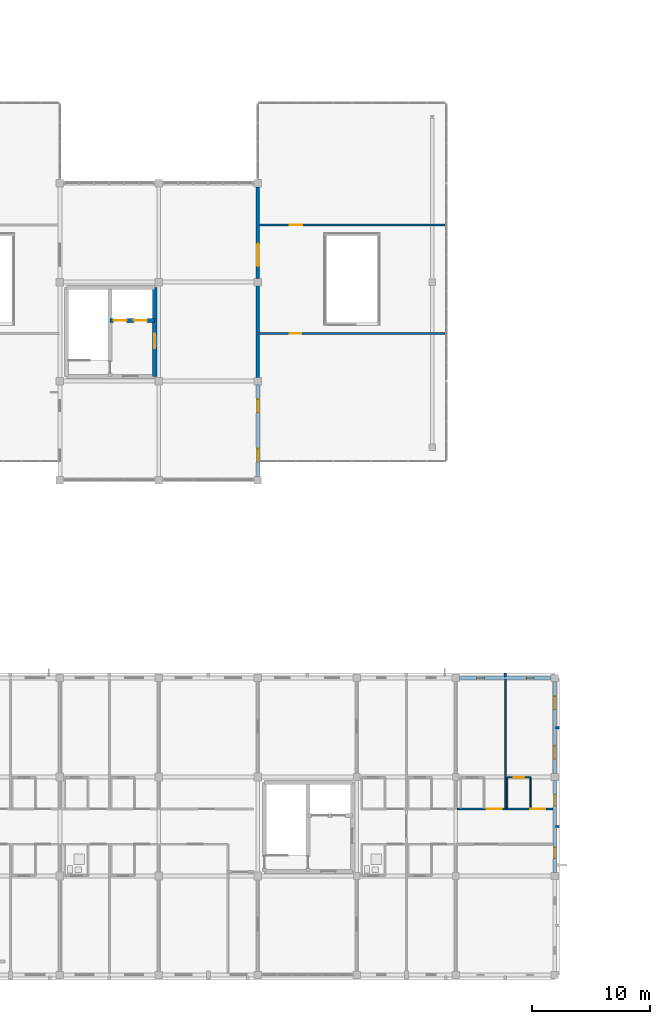
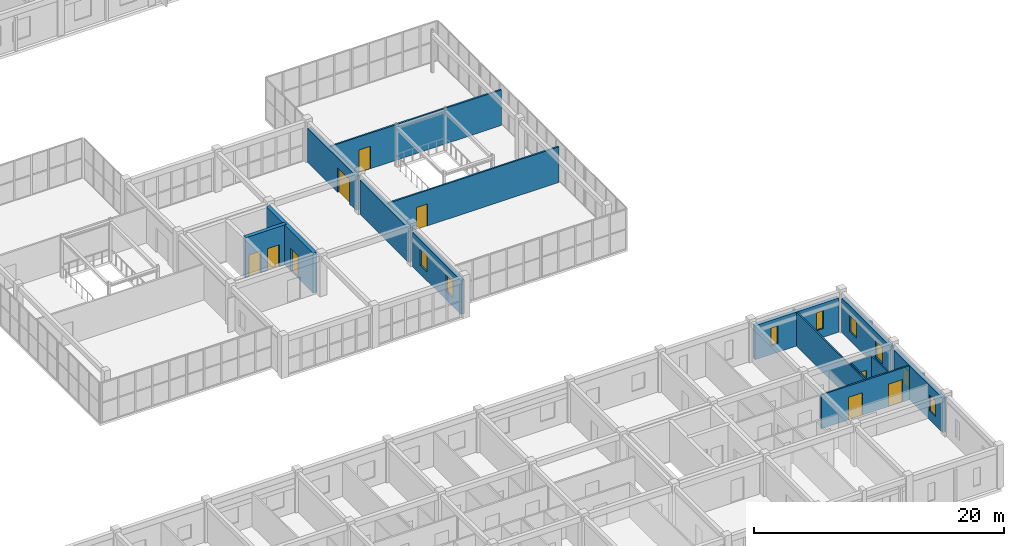
# One storey, part 64 of 81: 18 walls, 9 doors, 8 windows, 17 openings.
"""IFC4 building model written with IfcOpenShell, lengths in metres."""

from ifc_helpers import new_model, si_unit, direction, frame, frame_2d, origin, place, context, subcontext, project, spatial, rectangle, extrude, material, layer, layer_set, type_object, element, fill, save


model = new_model("IFC4")

# Units and contexts
model_context = context("Model", 3, precision=1e-05, world=origin(), true_north=direction((0.0, 1.0)))
body_context = subcontext(model_context, "Body", "Model", "MODEL_VIEW")
ifc_project = project(units=[si_unit("LENGTHUNIT", "METRE"), si_unit("AREAUNIT", "SQUARE_METRE"), si_unit("VOLUMEUNIT", "CUBIC_METRE"), si_unit("PLANEANGLEUNIT", "RADIAN"), si_unit("MASSUNIT", "GRAM", prefix="KILO")], contexts=[model_context])

# Site, building, storey
site_placement = place(None, origin())
site = spatial("IfcSite", under=ifc_project, at=site_placement, CompositionType="ELEMENT")
building_placement = place(site_placement, origin())
building = spatial("IfcBuilding", under=site, at=building_placement, Name="Trelvath General Hospital", CompositionType="ELEMENT")
storey_placement = place(building_placement, frame((0.0, 0.0, 24.60009765625)))
storey = spatial("IfcBuildingStorey", under=building, at=storey_placement, Name="L06", CompositionType="ELEMENT", Elevation=24.60009765625)

# Walls
ifc_material_1 = material(Name="Precast concrete C40/50", Category="concrete")
ifc_layer_1 = layer(ifc_material_1, 0.199951171875)
ifc_layer_set_1 = layer_set([ifc_layer_1], Name="Precast concrete C40/50")
wall_type_1 = type_object("IfcWallType", Name="BriseSoleilRib 200", PredefinedType="ELEMENTEDWALL", material=ifc_layer_set_1)
wall_1_placement = place(storey_placement, frame((117.675048828125, 12.60009765625, 0.0), z_axis=(0.0, 0.0, 1.0), x_axis=(1.0, 0.0, 0.0)))
element("IfcWall", 1, at=wall_1_placement, inside=storey, type_object=wall_type_1, Name="Precast Concrete Brise-Soleil Rib Fin L06-447", PredefinedType="ELEMENTEDWALL", context=body_context, shape_type="SweptSolid", body=[
    extrude(rectangle(XDim=0.33984375, YDim=0.199951171875, at=frame_2d((0.169921875, 0.0))), origin(), (0.0, 0.0, 1.0), 3.31982421875),
])
wall_2_placement = place(storey_placement, frame((113.39990234375, 25.27490234375, 0.0), z_axis=(0.0, 0.0, 1.0), x_axis=(0.0, 1.0, 0.0)))
element("IfcWall", 2, at=wall_2_placement, inside=storey, type_object=wall_type_1, Name="Precast Concrete Brise-Soleil Rib Fin L06-448", PredefinedType="ELEMENTEDWALL", context=body_context, shape_type="SweptSolid", body=[
    extrude(rectangle(XDim=0.340087890625, YDim=0.199951171875, at=frame_2d((0.169921875, 0.0))), origin(), (0.0, 0.0, 1.0), 3.31982421875),
])
wall_3_placement = place(storey_placement, frame((117.675048828125, 21.0, 0.0), z_axis=(0.0, 0.0, 1.0), x_axis=(1.0, 0.0, 0.0)))
element("IfcWall", 3, at=wall_3_placement, inside=storey, type_object=wall_type_1, Name="Precast Concrete Brise-Soleil Rib Fin L06-449", PredefinedType="ELEMENTEDWALL", context=body_context, shape_type="SweptSolid", body=[
    extrude(rectangle(XDim=0.33984375, YDim=0.199951171875, at=frame_2d((0.169921875, 0.0))), origin(), (0.0, 0.0, 1.0), 3.31982421875),
])

# Wall, openings, doors
ifc_material_2 = material(Name="Gypsum acoustic steel-stud partition", Category="steel")
ifc_layer_2 = layer(ifc_material_2, 0.14990234375)
ifc_layer_set_2 = layer_set([ifc_layer_2], Name="Gypsum acoustic steel-stud partition")
wall_type_2 = type_object("IfcWallType", Name="ClinicalPartition 150", PredefinedType="PARTITIONING", material=ifc_layer_set_2)
wall_4_placement = place(storey_placement, frame((117.4599609375, 14.10009765625, 0.0), z_axis=(0.0, 0.0, 1.0), x_axis=(-1.0, 0.0, 0.0)))
wall_4 = element("IfcWall", 4, at=wall_4_placement, inside=storey, type_object=wall_type_2, Name="Corridor Partition N L06-2148", PredefinedType="PARTITIONING", context=body_context, shape_type="SweptSolid", body=[
    extrude(rectangle(XDim=8.179931640625, YDim=0.14990234375, at=frame_2d((4.08984375, 0.0))), origin(), (0.0, 0.0, 1.0), 3.31982421875),
])
opening_1_placement = place(wall_4_placement, frame((0.669921875, 0.0, 0.0)))
opening_1 = element("IfcOpeningElement", 5, at=opening_1_placement, cuts=wall_4, Name="Opening D-6-1367", PredefinedType="OPENING", context=body_context, shape_type="SweptSolid", body=[
    extrude(rectangle(XDim=1.280029296875, YDim=2.199951171875, at=frame_2d((0.64013671875, 1.10009765625))), frame((0.0, 0.0849609375, 0.0), z_axis=(0.0, -1.0, 0.0), x_axis=(1.0, 0.0, 0.0)), (0.0, 0.0, 1.0), 0.169921875),
])
opening_2_placement = place(wall_4_placement, frame((4.3701171875, 0.0, 0.0)))
opening_2 = element("IfcOpeningElement", 6, at=opening_2_placement, cuts=wall_4, Name="Opening D-6-1368", PredefinedType="OPENING", context=body_context, shape_type="SweptSolid", body=[
    extrude(rectangle(XDim=1.280029296875, YDim=2.199951171875, at=frame_2d((0.64013671875, 1.10009765625))), frame((0.0, 0.0849609375, 0.0), z_axis=(0.0, -1.0, 0.0), x_axis=(1.0, 0.0, 0.0)), (0.0, 0.0, 1.0), 0.169921875),
])
ifc_material_3 = material(Name="Pediatric ward timber door", Category="wood")
door_type_1 = type_object("IfcDoorType", Name="Door PatientPeds 1280x2200", OperationType="NOTDEFINED", PredefinedType="DOOR", material=ifc_material_3)
door_1_placement = place(opening_1_placement, origin())
door_1 = element("IfcDoor", 7, at=door_1_placement, inside=storey, type_object=door_type_1, Name="Patient Room Door N L06-1367", OperationType="SINGLE_SWING_RIGHT", OverallHeight=2.199951171875, OverallWidth=1.280029296875, PredefinedType="DOOR", context=body_context, shape_type="SweptSolid", body=[
    extrude(rectangle(XDim=1.280029296875, YDim=2.199951171875, at=frame_2d((0.64013671875, 1.10009765625))), frame((0.0, 0.02490234375, 0.0), z_axis=(0.0, -1.0, 0.0), x_axis=(1.0, 0.0, 0.0)), (0.0, 0.0, 1.0), 0.050048828125),
])
fill(opening_1, door_1)
door_2_placement = place(opening_2_placement, origin())
door_2 = element("IfcDoor", 8, at=door_2_placement, inside=storey, type_object=door_type_1, Name="Patient Room Door N L06-1368", OperationType="SINGLE_SWING_RIGHT", OverallHeight=2.199951171875, OverallWidth=1.280029296875, PredefinedType="DOOR", context=body_context, shape_type="SweptSolid", body=[
    extrude(rectangle(XDim=1.280029296875, YDim=2.199951171875, at=frame_2d((0.64013671875, 1.10009765625))), frame((0.0, 0.02490234375, 0.0), z_axis=(0.0, -1.0, 0.0), x_axis=(1.0, 0.0, 0.0)), (0.0, 0.0, 1.0), 0.050048828125),
])
fill(opening_2, door_2)

# Wall, opening, door
wall_5_placement = place(storey_placement, frame((92.5, 54.449951171875, 0.0), z_axis=(0.0, 0.0, 1.0), x_axis=(1.0, 0.0, 0.0)))
wall_5 = element("IfcWall", 9, at=wall_5_placement, inside=storey, type_object=wall_type_2, Name="Cube Clinic CUBE-E Partition L06-2321", PredefinedType="PARTITIONING", context=body_context, shape_type="SweptSolid", body=[
    extrude(rectangle(XDim=15.800048828125, YDim=0.14990234375, at=frame_2d((7.89990234375, 0.0))), origin(), (0.0, 0.0, 1.0), 3.489990234375),
])
opening_3_placement = place(wall_5_placement, frame((2.60009765625, 0.0, 0.0)))
opening_3 = element("IfcOpeningElement", 10, at=opening_3_placement, cuts=wall_5, Name="Opening DC-6-1453", PredefinedType="OPENING", context=body_context, shape_type="SweptSolid", body=[
    extrude(rectangle(XDim=1.0, YDim=2.14990234375, at=frame_2d((0.5, 1.074951171875))), frame((0.0, 0.0849609375, 0.0), z_axis=(0.0, -1.0, 0.0), x_axis=(1.0, 0.0, 0.0)), (0.0, 0.0, 1.0), 0.169921875),
])
ifc_material_4 = material(Name="Acoustic hospital timber leaf", Category="wood")
door_type_2 = type_object("IfcDoorType", Name="Door Consult 1000x2150", OperationType="NOTDEFINED", PredefinedType="DOOR", material=ifc_material_4)
door_3_placement = place(opening_3_placement, origin())
door_3 = element("IfcDoor", 11, at=door_3_placement, inside=storey, type_object=door_type_2, Name="Cube Clinic CUBE-E Door L06-1453", OperationType="SINGLE_SWING_LEFT", OverallHeight=2.14990234375, OverallWidth=1.0, PredefinedType="DOOR", context=body_context, shape_type="SweptSolid", body=[
    extrude(rectangle(XDim=1.0, YDim=2.14990234375, at=frame_2d((0.5, 1.074951171875))), frame((0.0, 0.02490234375, 0.0), z_axis=(0.0, -1.0, 0.0), x_axis=(1.0, 0.0, 0.0)), (0.0, 0.0, 1.0), 0.050048828125),
])
fill(opening_3, door_3)

wall_6_placement = place(storey_placement, frame((92.5, 63.64990234375, 0.0), z_axis=(0.0, 0.0, 1.0), x_axis=(1.0, 0.0, 0.0)))
wall_6 = element("IfcWall", 12, at=wall_6_placement, inside=storey, type_object=wall_type_2, Name="Cube Clinic CUBE-E Partition L06-2322", PredefinedType="PARTITIONING", context=body_context, shape_type="SweptSolid", body=[
    extrude(rectangle(XDim=15.800048828125, YDim=0.14990234375, at=frame_2d((7.89990234375, 0.0))), origin(), (0.0, 0.0, 1.0), 3.489990234375),
])
opening_4_placement = place(wall_6_placement, frame((2.60009765625, 0.0, 0.0)))
opening_4 = element("IfcOpeningElement", 13, at=opening_4_placement, cuts=wall_6, Name="Opening DC-6-1454", PredefinedType="OPENING", context=body_context, shape_type="SweptSolid", body=[
    extrude(rectangle(XDim=1.050048828125, YDim=2.199951171875, at=frame_2d((0.52490234375, 1.10009765625))), frame((0.0, 0.0849609375, 0.0), z_axis=(0.0, -1.0, 0.0), x_axis=(1.0, 0.0, 0.0)), (0.0, 0.0, 1.0), 0.169921875),
])
ifc_material_5 = material(Name="Acoustic hospital timber leaf", Category="wood")
door_type_3 = type_object("IfcDoorType", Name="Door Consult 1050x2200", OperationType="NOTDEFINED", PredefinedType="DOOR", material=ifc_material_5)
door_4_placement = place(opening_4_placement, origin())
door_4 = element("IfcDoor", 14, at=door_4_placement, inside=storey, type_object=door_type_3, Name="Cube Clinic CUBE-E Door L06-1454", OperationType="SINGLE_SWING_RIGHT", OverallHeight=2.199951171875, OverallWidth=1.050048828125, PredefinedType="DOOR", context=body_context, shape_type="SweptSolid", body=[
    extrude(rectangle(XDim=1.050048828125, YDim=2.199951171875, at=frame_2d((0.52490234375, 1.10009765625))), frame((0.0, 0.02490234375, 0.0), z_axis=(0.0, -1.0, 0.0), x_axis=(1.0, 0.0, 0.0)), (0.0, 0.0, 1.0), 0.050048828125),
])
fill(opening_4, door_4)

ifc_material_6 = material(Name="Concrete C40/50", Category="concrete")
ifc_layer_3 = layer(ifc_material_6, 0.35009765625)
ifc_layer_set_3 = layer_set([ifc_layer_3], Name="Concrete C40/50")
wall_type_3 = type_object("IfcWallType", Name="CoreShearWall 350", PredefinedType="SHEAR", material=ifc_layer_set_3)
wall_7_placement = place(storey_placement, frame((83.64990234375, 50.800048828125, 0.0), z_axis=(0.0, 0.0, 1.0), x_axis=(0.0, 1.0, 0.0)))
wall_7 = element("IfcWall", 15, at=wall_7_placement, inside=storey, type_object=wall_type_3, Name="Core Shear Wall C6 E L06", PredefinedType="SHEAR", context=body_context, shape_type="SweptSolid", body=[
    extrude(rectangle(XDim=7.550048828125, YDim=0.35009765625, at=frame_2d((3.77490234375, 0.0))), origin(), (0.0, 0.0, 1.0), 3.919921875),
])
opening_5_placement = place(wall_7_placement, frame((2.39990234375, 0.0, 0.0)))
opening_5 = element("IfcOpeningElement", 16, at=opening_5_placement, cuts=wall_7, Name="Opening FD-LE66", PredefinedType="OPENING", context=body_context, shape_type="SweptSolid", body=[
    extrude(rectangle(XDim=1.199951171875, YDim=2.199951171875, at=frame_2d((0.60009765625, 1.10009765625))), frame((0.0, 0.18505859375, 0.0), z_axis=(0.0, -1.0, 0.0), x_axis=(1.0, 0.0, 0.0)), (0.0, 0.0, 1.0), 0.3701171875),
])
ifc_material_7 = material(Name="Fire-rated steel door", Category="steel")
door_type_4 = type_object("IfcDoorType", Name="Door FireLobby 1200x2200", OperationType="NOTDEFINED", PredefinedType="DOOR", material=ifc_material_7)
door_5_placement = place(opening_5_placement, origin())
door_5 = element("IfcDoor", 17, at=door_5_placement, inside=storey, type_object=door_type_4, Name="Fire Lobby East Corridor Door C6 L06", OperationType="SINGLE_SWING_RIGHT", OverallHeight=2.199951171875, OverallWidth=1.199951171875, PredefinedType="DOOR", context=body_context, shape_type="SweptSolid", body=[
    extrude(rectangle(XDim=1.199951171875, YDim=2.199951171875, at=frame_2d((0.60009765625, 1.10009765625))), frame((0.0, 0.02490234375, 0.0), z_axis=(0.0, -1.0, 0.0), x_axis=(1.0, 0.0, 0.0)), (0.0, 0.0, 1.0), 0.050048828125),
])
fill(opening_5, door_5)

# Wall, openings, doors
wall_8_placement = place(storey_placement, frame((79.85009765625, 55.550048828125, 0.0), z_axis=(0.0, 0.0, 1.0), x_axis=(1.0, 0.0, 0.0)))
wall_8 = element("IfcWall", 18, at=wall_8_placement, inside=storey, type_object=wall_type_3, Name="Core Shear Wall C6 SHAFT L06", PredefinedType="SHEAR", context=body_context, shape_type="SweptSolid", body=[
    extrude(rectangle(XDim=3.7998046875, YDim=0.35009765625, at=frame_2d((1.89990234375, 0.0))), origin(), (0.0, 0.0, 1.0), 3.919921875),
])
opening_6_placement = place(wall_8_placement, frame((0.320068359375, 0.0, 0.0)))
opening_6 = element("IfcOpeningElement", 19, at=opening_6_placement, cuts=wall_8, Name="Opening LD-PA3-6", PredefinedType="OPENING", context=body_context, shape_type="SweptSolid", body=[
    extrude(rectangle(XDim=1.10009765625, YDim=2.14990234375, at=frame_2d((0.550048828125, 1.074951171875))), frame((0.0, 0.18505859375, 0.0), z_axis=(0.0, -1.0, 0.0), x_axis=(1.0, 0.0, 0.0)), (0.0, 0.0, 1.0), 0.3701171875),
])
opening_7_placement = place(wall_8_placement, frame((2.0400390625, 0.0, 0.0)))
opening_7 = element("IfcOpeningElement", 20, at=opening_7_placement, cuts=wall_8, Name="Opening LD-PA4-6", PredefinedType="OPENING", context=body_context, shape_type="SweptSolid", body=[
    extrude(rectangle(XDim=1.10009765625, YDim=2.14990234375, at=frame_2d((0.550048828125, 1.074951171875))), frame((0.0, 0.18505859375, 0.0), z_axis=(0.0, -1.0, 0.0), x_axis=(1.0, 0.0, 0.0)), (0.0, 0.0, 1.0), 0.3701171875),
])
ifc_material_8 = material(Name="Stainless steel lift landing sliding door", Category="steel")
door_type_5 = type_object("IfcDoorType", Name="Door LiftLanding 1100x2150", OperationType="SLIDING_TO_LEFT", PredefinedType="DOOR", material=ifc_material_8)
door_6_placement = place(opening_6_placement, origin())
door_6 = element("IfcDoor", 21, at=door_6_placement, inside=storey, type_object=door_type_5, Name="Lift Landing Sliding Door LF-PA3 L06", OperationType="SLIDING_TO_LEFT", OverallHeight=2.14990234375, OverallWidth=1.10009765625, PredefinedType="DOOR", context=body_context, shape_type="SweptSolid", body=[
    extrude(rectangle(XDim=1.10009765625, YDim=2.14990234375, at=frame_2d((0.550048828125, 1.074951171875))), frame((0.0, 0.02490234375, 0.0), z_axis=(0.0, -1.0, 0.0), x_axis=(1.0, 0.0, 0.0)), (0.0, 0.0, 1.0), 0.050048828125),
])
fill(opening_6, door_6)
door_7_placement = place(opening_7_placement, origin())
door_7 = element("IfcDoor", 22, at=door_7_placement, inside=storey, type_object=door_type_5, Name="Lift Landing Sliding Door LF-PA4 L06", OperationType="SLIDING_TO_LEFT", OverallHeight=2.14990234375, OverallWidth=1.10009765625, PredefinedType="DOOR", context=body_context, shape_type="SweptSolid", body=[
    extrude(rectangle(XDim=1.10009765625, YDim=2.14990234375, at=frame_2d((0.550048828125, 1.074951171875))), frame((0.0, 0.02490234375, 0.0), z_axis=(0.0, -1.0, 0.0), x_axis=(1.0, 0.0, 0.0)), (0.0, 0.0, 1.0), 0.050048828125),
])
fill(opening_7, door_7)

# Walls
ifc_material_9 = material(Name="Moisture-resistant tile partition")
ifc_layer_4 = layer(ifc_material_9, 0.110107421875)
ifc_layer_set_4 = layer_set([ifc_layer_4], Name="Moisture-resistant tile partition")
wall_type_4 = type_object("IfcWallType", Name="EnSuiteWetWall 110", PredefinedType="PARTITIONING", material=ifc_layer_set_4)
for number, where, z_axis, x_axis, name in (
    (23, (113.56005859375, 14.169921875, 0.0), (0.0, 0.0, 1.0), (0.0, 1.0, 0.0), "En-Suite W Wall N L06-2153"),
    (24, (115.5400390625, 14.169921875, 0.0), (0.0, 0.0, 1.0), (0.0, 1.0, 0.0), "En-Suite E Wall N L06-2154"),
):
    element("IfcWall", number, at=place(storey_placement, frame(where, z_axis=z_axis, x_axis=x_axis)), inside=storey, type_object=wall_type_4, Name=name, PredefinedType="PARTITIONING", context=body_context, shape_type="SweptSolid", body=[
        extrude(rectangle(XDim=2.610107421875, YDim=0.110107421875, at=frame_2d((1.30517578125, 0.0))), origin(), (0.0, 0.0, 1.0), 3.31982421875),
    ])

# Wall, opening, door
wall_9_placement = place(storey_placement, frame((113.56005859375, 16.780029296875, 0.0), z_axis=(0.0, 0.0, 1.0), x_axis=(1.0, 0.0, 0.0)))
wall_9 = element("IfcWall", 25, at=wall_9_placement, inside=storey, type_object=wall_type_4, Name="En-Suite Bathroom N Partition L06-2155", PredefinedType="PARTITIONING", context=body_context, shape_type="SweptSolid", body=[
    extrude(rectangle(XDim=1.97998046875, YDim=0.110107421875, at=frame_2d((0.989990234375, 0.0))), origin(), (0.0, 0.0, 1.0), 3.31982421875),
])
opening_8_placement = place(wall_9_placement, frame((0.5400390625, 0.0, 0.0)))
opening_8 = element("IfcOpeningElement", 26, at=opening_8_placement, cuts=wall_9, Name="Opening D-6-1370", PredefinedType="OPENING", context=body_context, shape_type="SweptSolid", body=[
    extrude(rectangle(XDim=0.89990234375, YDim=2.10009765625, at=frame_2d((0.449951171875, 1.050048828125))), frame((0.0, 0.06494140625, 0.0), z_axis=(0.0, -1.0, 0.0), x_axis=(1.0, 0.0, 0.0)), (0.0, 0.0, 1.0), 0.130126953125),
])
ifc_material_10 = material(Name="Moisture-sealed timber leaf", Category="wood")
door_type_6 = type_object("IfcDoorType", Name="Door EnSuite 900x2100", OperationType="NOTDEFINED", PredefinedType="DOOR", material=ifc_material_10)
door_8_placement = place(opening_8_placement, origin())
door_8 = element("IfcDoor", 27, at=door_8_placement, inside=storey, type_object=door_type_6, Name="En-Suite Bathroom N Door L06-1370", OperationType="SINGLE_SWING_RIGHT", OverallHeight=2.10009765625, OverallWidth=0.89990234375, PredefinedType="DOOR", context=body_context, shape_type="SweptSolid", body=[
    extrude(rectangle(XDim=0.89990234375, YDim=2.10009765625, at=frame_2d((0.449951171875, 1.050048828125))), frame((0.0, 0.02490234375, 0.0), z_axis=(0.0, -1.0, 0.0), x_axis=(1.0, 0.0, 0.0)), (0.0, 0.0, 1.0), 0.050048828125),
])
fill(opening_8, door_8)

# Wall, openings, windows
ifc_material_11 = material(Name="Concrete C35/45", Category="concrete")
ifc_layer_5 = layer(ifc_material_11, 0.320068359375)
ifc_layer_set_5 = layer_set([ifc_layer_5], Name="Concrete C35/45")
wall_type_5 = type_object("IfcWallType", Name="ExtThermalWall 320", PredefinedType="SOLIDWALL", material=ifc_layer_set_5)
wall_10_placement = place(storey_placement, frame((92.39990234375, 50.094970703125, 0.0), z_axis=(0.0, 0.0, 1.0), x_axis=(0.0, -1.0, 0.0)))
wall_10 = element("IfcWall", 28, at=wall_10_placement, inside=storey, type_object=wall_type_5, Name="Exterior Concrete Wall L06-583", PredefinedType="SOLIDWALL", context=body_context, shape_type="SweptSolid", body=[
    extrude(rectangle(XDim=7.7900390625, YDim=0.320068359375, at=frame_2d((3.89501953125, 0.0))), origin(), (0.0, 0.0, 1.0), 3.33984375),
])
opening_9_placement = place(wall_10_placement, frame((1.24169921875, 0.0, 0.85009765625)))
opening_9 = element("IfcOpeningElement", 29, at=opening_9_placement, cuts=wall_10, Name="Opening WN-6-977", PredefinedType="OPENING", context=body_context, shape_type="SweptSolid", body=[
    extrude(rectangle(XDim=1.10009765625, YDim=1.60009765625, at=frame_2d((0.550048828125, 0.800048828125))), frame((0.0, 0.169921875, 0.0), z_axis=(0.0, -1.0, 0.0), x_axis=(1.0, 0.0, 0.0)), (0.0, 0.0, 1.0), 0.340087890625),
])
opening_10_placement = place(wall_10_placement, frame((5.4482421875, 0.0, 0.85009765625)))
opening_10 = element("IfcOpeningElement", 30, at=opening_10_placement, cuts=wall_10, Name="Opening WN-6-978", PredefinedType="OPENING", context=body_context, shape_type="SweptSolid", body=[
    extrude(rectangle(XDim=1.10009765625, YDim=1.60009765625, at=frame_2d((0.550048828125, 0.800048828125))), frame((0.0, 0.169921875, 0.0), z_axis=(0.0, -1.0, 0.0), x_axis=(1.0, 0.0, 0.0)), (0.0, 0.0, 1.0), 0.340087890625),
])
ifc_material_12 = material(Name="Low-E laminated glass", Category="glass")
window_type_1 = type_object("IfcWindowType", Name="Window DeepReveal 1100x1600", PartitioningType="SINGLE_PANEL", PredefinedType="WINDOW", material=ifc_material_12)
window_1_placement = place(opening_9_placement, origin())
window_1 = element("IfcWindow", 31, at=window_1_placement, inside=storey, type_object=window_type_1, Name="Solar Reveal Window L06-977", OverallHeight=1.60009765625, OverallWidth=1.10009765625, PartitioningType="SINGLE_PANEL", PredefinedType="WINDOW", context=body_context, shape_type="SweptSolid", body=[
    extrude(rectangle(XDim=1.10009765625, YDim=1.60009765625, at=frame_2d((0.550048828125, 0.800048828125))), frame((0.0, 0.030029296875, 0.0), z_axis=(0.0, -1.0, 0.0), x_axis=(1.0, 0.0, 0.0)), (0.0, 0.0, 1.0), 0.06005859375),
])
fill(opening_9, window_1)
window_2_placement = place(opening_10_placement, origin())
window_2 = element("IfcWindow", 32, at=window_2_placement, inside=storey, type_object=window_type_1, Name="Solar Reveal Window L06-978", OverallHeight=1.60009765625, OverallWidth=1.10009765625, PartitioningType="SINGLE_PANEL", PredefinedType="WINDOW", context=body_context, shape_type="SweptSolid", body=[
    extrude(rectangle(XDim=1.10009765625, YDim=1.60009765625, at=frame_2d((0.550048828125, 0.800048828125))), frame((0.0, 0.030029296875, 0.0), z_axis=(0.0, -1.0, 0.0), x_axis=(1.0, 0.0, 0.0)), (0.0, 0.0, 1.0), 0.06005859375),
])
fill(opening_10, window_2)

# Wall
wall_11_placement = place(storey_placement, frame((92.39990234375, 58.4951171875, 0.0), z_axis=(0.0, 0.0, 1.0), x_axis=(0.0, -1.0, 0.0)))
element("IfcWall", 33, at=wall_11_placement, inside=storey, type_object=wall_type_5, Name="Exterior Concrete Wall L06-584", PredefinedType="SOLIDWALL", context=body_context, shape_type="SweptSolid", body=[
    extrude(rectangle(XDim=7.7900390625, YDim=0.320068359375, at=frame_2d((3.89501953125, 0.0))), origin(), (0.0, 0.0, 1.0), 3.33984375),
])

# Wall, opening, door
wall_12_placement = place(storey_placement, frame((92.39990234375, 66.89501953125, 0.0), z_axis=(0.0, 0.0, 1.0), x_axis=(0.0, -1.0, 0.0)))
wall_12 = element("IfcWall", 34, at=wall_12_placement, inside=storey, type_object=wall_type_5, Name="Exterior Concrete Wall L06-585", PredefinedType="SOLIDWALL", context=body_context, shape_type="SweptSolid", body=[
    extrude(rectangle(XDim=7.7900390625, YDim=0.320068359375, at=frame_2d((3.89501953125, 0.0))), origin(), (0.0, 0.0, 1.0), 3.33984375),
])
opening_11_placement = place(wall_12_placement, frame((4.844970703125, 0.0, 0.0)))
opening_11 = element("IfcOpeningElement", 35, at=opening_11_placement, cuts=wall_12, Name="Opening CP-6-068", PredefinedType="OPENING", context=body_context, shape_type="SweptSolid", body=[
    extrude(rectangle(XDim=1.89990234375, YDim=2.39990234375, at=frame_2d((0.949951171875, 1.199951171875))), frame((0.0, 0.169921875, 0.0), z_axis=(0.0, -1.0, 0.0), x_axis=(1.0, 0.0, 0.0)), (0.0, 0.0, 1.0), 0.340087890625),
])
ifc_material_13 = material(Name="Thermally broken glazed aluminium pair", Category="aluminium")
door_type_7 = type_object("IfcDoorType", Name="Door BridgeEntry 1900x2400", OperationType="DOUBLE_SWING_LEFT", PredefinedType="DOOR", material=ifc_material_13)
door_9_placement = place(opening_11_placement, origin())
door_9 = element("IfcDoor", 36, at=door_9_placement, inside=storey, type_object=door_type_7, Name="Crystal Cube Concourse Portal Door L06-68", OperationType="DOUBLE_SWING_LEFT", OverallHeight=2.39990234375, OverallWidth=1.89990234375, PredefinedType="DOOR", context=body_context, shape_type="SweptSolid", body=[
    extrude(rectangle(XDim=1.89990234375, YDim=2.39990234375, at=frame_2d((0.949951171875, 1.199951171875))), frame((0.0, 0.02490234375, 0.0), z_axis=(0.0, -1.0, 0.0), x_axis=(1.0, 0.0, 0.0)), (0.0, 0.0, 1.0), 0.050048828125),
])
fill(opening_11, door_9)

# Wall, openings, windows
wall_13_placement = place(storey_placement, frame((117.60009765625, 16.4951171875, 0.0), z_axis=(0.0, 0.0, 1.0), x_axis=(0.0, -1.0, 0.0)))
wall_13 = element("IfcWall", 37, at=wall_13_placement, inside=storey, type_object=wall_type_5, Name="Exterior Concrete Wall L06-596", PredefinedType="SOLIDWALL", context=body_context, shape_type="SweptSolid", body=[
    extrude(rectangle(XDim=7.7900390625, YDim=0.320068359375, at=frame_2d((3.89501953125, 0.0))), origin(), (0.0, 0.0, 1.0), 3.33984375),
])
opening_12_placement = place(wall_13_placement, frame((1.18994140625, 0.0, 0.85009765625)))
opening_12 = element("IfcOpeningElement", 38, at=opening_12_placement, cuts=wall_13, Name="Opening WN-6-999", PredefinedType="OPENING", context=body_context, shape_type="SweptSolid", body=[
    extrude(rectangle(XDim=0.949951171875, YDim=1.60009765625, at=frame_2d((0.47509765625, 0.800048828125))), frame((0.0, 0.169921875, 0.0), z_axis=(0.0, -1.0, 0.0), x_axis=(1.0, 0.0, 0.0)), (0.0, 0.0, 1.0), 0.340087890625),
])
opening_13_placement = place(wall_13_placement, frame((5.64990234375, 0.0, 0.85009765625)))
opening_13 = element("IfcOpeningElement", 39, at=opening_13_placement, cuts=wall_13, Name="Opening WN-6-1000", PredefinedType="OPENING", context=body_context, shape_type="SweptSolid", body=[
    extrude(rectangle(XDim=0.949951171875, YDim=1.60009765625, at=frame_2d((0.47509765625, 0.800048828125))), frame((0.0, 0.169921875, 0.0), z_axis=(0.0, -1.0, 0.0), x_axis=(1.0, 0.0, 0.0)), (0.0, 0.0, 1.0), 0.340087890625),
])
ifc_material_14 = material(Name="Low-E laminated glass", Category="glass")
window_type_2 = type_object("IfcWindowType", Name="Window DeepReveal 950x1600", PartitioningType="SINGLE_PANEL", PredefinedType="WINDOW", material=ifc_material_14)
window_3_placement = place(opening_12_placement, origin())
window_3 = element("IfcWindow", 40, at=window_3_placement, inside=storey, type_object=window_type_2, Name="Solar Reveal Window L06-999", OverallHeight=1.60009765625, OverallWidth=0.949951171875, PartitioningType="SINGLE_PANEL", PredefinedType="WINDOW", context=body_context, shape_type="SweptSolid", body=[
    extrude(rectangle(XDim=0.949951171875, YDim=1.60009765625, at=frame_2d((0.47509765625, 0.800048828125))), frame((0.0, 0.030029296875, 0.0), z_axis=(0.0, -1.0, 0.0), x_axis=(1.0, 0.0, 0.0)), (0.0, 0.0, 1.0), 0.06005859375),
])
fill(opening_12, window_3)
window_4_placement = place(opening_13_placement, origin())
window_4 = element("IfcWindow", 41, at=window_4_placement, inside=storey, type_object=window_type_2, Name="Solar Reveal Window L06-1000", OverallHeight=1.60009765625, OverallWidth=0.949951171875, PartitioningType="SINGLE_PANEL", PredefinedType="WINDOW", context=body_context, shape_type="SweptSolid", body=[
    extrude(rectangle(XDim=0.949951171875, YDim=1.60009765625, at=frame_2d((0.47509765625, 0.800048828125))), frame((0.0, 0.030029296875, 0.0), z_axis=(0.0, -1.0, 0.0), x_axis=(1.0, 0.0, 0.0)), (0.0, 0.0, 1.0), 0.06005859375),
])
fill(opening_13, window_4)

wall_14_placement = place(storey_placement, frame((109.5048828125, 25.199951171875, 0.0), z_axis=(0.0, 0.0, 1.0), x_axis=(1.0, 0.0, 0.0)))
wall_14 = element("IfcWall", 42, at=wall_14_placement, inside=storey, type_object=wall_type_5, Name="Exterior Concrete Wall L06-597", PredefinedType="SOLIDWALL", context=body_context, shape_type="SweptSolid", body=[
    extrude(rectangle(XDim=7.7900390625, YDim=0.320068359375, at=frame_2d((3.89501953125, 0.0))), origin(), (0.0, 0.0, 1.0), 3.33984375),
])
opening_14_placement = place(wall_14_placement, frame((1.466796875, 0.0, 0.85009765625)))
opening_14 = element("IfcOpeningElement", 43, at=opening_14_placement, cuts=wall_14, Name="Opening WN-6-1001", PredefinedType="OPENING", context=body_context, shape_type="SweptSolid", body=[
    extrude(rectangle(XDim=0.64990234375, YDim=1.75, at=frame_2d((0.324951171875, 0.875))), frame((0.0, 0.169921875, 0.0), z_axis=(0.0, -1.0, 0.0), x_axis=(1.0, 0.0, 0.0)), (0.0, 0.0, 1.0), 0.340087890625),
])
opening_15_placement = place(wall_14_placement, frame((5.67333984375, 0.0, 0.85009765625)))
opening_15 = element("IfcOpeningElement", 44, at=opening_15_placement, cuts=wall_14, Name="Opening WN-6-1002", PredefinedType="OPENING", context=body_context, shape_type="SweptSolid", body=[
    extrude(rectangle(XDim=0.64990234375, YDim=1.75, at=frame_2d((0.324951171875, 0.875))), frame((0.0, 0.169921875, 0.0), z_axis=(0.0, -1.0, 0.0), x_axis=(1.0, 0.0, 0.0)), (0.0, 0.0, 1.0), 0.340087890625),
])
ifc_material_15 = material(Name="Low-E laminated glass", Category="glass")
window_type_3 = type_object("IfcWindowType", Name="Window SunSlot 650x1750", PartitioningType="SINGLE_PANEL", PredefinedType="WINDOW", material=ifc_material_15)
window_5_placement = place(opening_14_placement, origin())
window_5 = element("IfcWindow", 45, at=window_5_placement, inside=storey, type_object=window_type_3, Name="Solar Reveal Window L06-1001", OverallHeight=1.75, OverallWidth=0.64990234375, PartitioningType="SINGLE_PANEL", PredefinedType="WINDOW", context=body_context, shape_type="SweptSolid", body=[
    extrude(rectangle(XDim=0.64990234375, YDim=1.75, at=frame_2d((0.324951171875, 0.875))), frame((0.0, 0.030029296875, 0.0), z_axis=(0.0, -1.0, 0.0), x_axis=(1.0, 0.0, 0.0)), (0.0, 0.0, 1.0), 0.06005859375),
])
fill(opening_14, window_5)
window_6_placement = place(opening_15_placement, origin())
window_6 = element("IfcWindow", 46, at=window_6_placement, inside=storey, type_object=window_type_3, Name="Solar Reveal Window L06-1002", OverallHeight=1.75, OverallWidth=0.64990234375, PartitioningType="SINGLE_PANEL", PredefinedType="WINDOW", context=body_context, shape_type="SweptSolid", body=[
    extrude(rectangle(XDim=0.64990234375, YDim=1.75, at=frame_2d((0.324951171875, 0.875))), frame((0.0, 0.030029296875, 0.0), z_axis=(0.0, -1.0, 0.0), x_axis=(1.0, 0.0, 0.0)), (0.0, 0.0, 1.0), 0.06005859375),
])
fill(opening_15, window_6)

wall_15_placement = place(storey_placement, frame((117.60009765625, 24.89501953125, 0.0), z_axis=(0.0, 0.0, 1.0), x_axis=(0.0, -1.0, 0.0)))
wall_15 = element("IfcWall", 47, at=wall_15_placement, inside=storey, type_object=wall_type_5, Name="Exterior Concrete Wall L06-598", PredefinedType="SOLIDWALL", context=body_context, shape_type="SweptSolid", body=[
    extrude(rectangle(XDim=7.7900390625, YDim=0.320068359375, at=frame_2d((3.89501953125, 0.0))), origin(), (0.0, 0.0, 1.0), 3.33984375),
])
opening_16_placement = place(wall_15_placement, frame((1.24169921875, 0.0, 0.85009765625)))
opening_16 = element("IfcOpeningElement", 48, at=opening_16_placement, cuts=wall_15, Name="Opening WN-6-1003", PredefinedType="OPENING", context=body_context, shape_type="SweptSolid", body=[
    extrude(rectangle(XDim=1.10009765625, YDim=1.60009765625, at=frame_2d((0.550048828125, 0.800048828125))), frame((0.0, 0.169921875, 0.0), z_axis=(0.0, -1.0, 0.0), x_axis=(1.0, 0.0, 0.0)), (0.0, 0.0, 1.0), 0.340087890625),
])
opening_17_placement = place(wall_15_placement, frame((5.4482421875, 0.0, 0.85009765625)))
opening_17 = element("IfcOpeningElement", 49, at=opening_17_placement, cuts=wall_15, Name="Opening WN-6-1004", PredefinedType="OPENING", context=body_context, shape_type="SweptSolid", body=[
    extrude(rectangle(XDim=1.10009765625, YDim=1.60009765625, at=frame_2d((0.550048828125, 0.800048828125))), frame((0.0, 0.169921875, 0.0), z_axis=(0.0, -1.0, 0.0), x_axis=(1.0, 0.0, 0.0)), (0.0, 0.0, 1.0), 0.340087890625),
])
window_7_placement = place(opening_16_placement, origin())
window_7 = element("IfcWindow", 50, at=window_7_placement, inside=storey, type_object=window_type_1, Name="Solar Reveal Window L06-1003", OverallHeight=1.60009765625, OverallWidth=1.10009765625, PartitioningType="SINGLE_PANEL", PredefinedType="WINDOW", context=body_context, shape_type="SweptSolid", body=[
    extrude(rectangle(XDim=1.10009765625, YDim=1.60009765625, at=frame_2d((0.550048828125, 0.800048828125))), frame((0.0, 0.030029296875, 0.0), z_axis=(0.0, -1.0, 0.0), x_axis=(1.0, 0.0, 0.0)), (0.0, 0.0, 1.0), 0.06005859375),
])
fill(opening_16, window_7)
window_8_placement = place(opening_17_placement, origin())
window_8 = element("IfcWindow", 51, at=window_8_placement, inside=storey, type_object=window_type_1, Name="Solar Reveal Window L06-1004", OverallHeight=1.60009765625, OverallWidth=1.10009765625, PartitioningType="SINGLE_PANEL", PredefinedType="WINDOW", context=body_context, shape_type="SweptSolid", body=[
    extrude(rectangle(XDim=1.10009765625, YDim=1.60009765625, at=frame_2d((0.550048828125, 0.800048828125))), frame((0.0, 0.030029296875, 0.0), z_axis=(0.0, -1.0, 0.0), x_axis=(1.0, 0.0, 0.0)), (0.0, 0.0, 1.0), 0.06005859375),
])
fill(opening_17, window_8)

# Wall
ifc_material_16 = material(Name="Gypsum acoustic steel-stud partition", Category="steel")
ifc_layer_6 = layer(ifc_material_16, 0.1298828125)
ifc_layer_set_6 = layer_set([ifc_layer_6], Name="Gypsum acoustic steel-stud partition")
wall_type_6 = type_object("IfcWallType", Name="WardPartition 130", PredefinedType="PARTITIONING", material=ifc_layer_set_6)
wall_16_placement = place(storey_placement, frame((113.39990234375, 14.169921875, 0.0), z_axis=(0.0, 0.0, 1.0), x_axis=(0.0, 1.0, 0.0)))
element("IfcWall", 52, at=wall_16_placement, inside=storey, type_object=wall_type_6, Name="Room Dividing Partition N L06-2149", PredefinedType="PARTITIONING", context=body_context, shape_type="SweptSolid", body=[
    extrude(rectangle(XDim=10.93017578125, YDim=0.1298828125, at=frame_2d((5.465087890625, 0.0))), origin(), (0.0, 0.0, 1.0), 3.31982421875),
])

save(model, "model.ifc")
